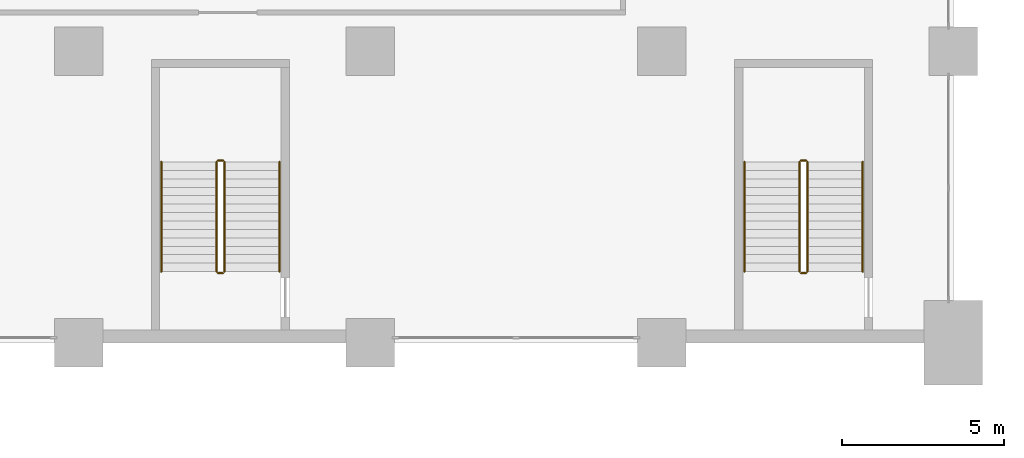
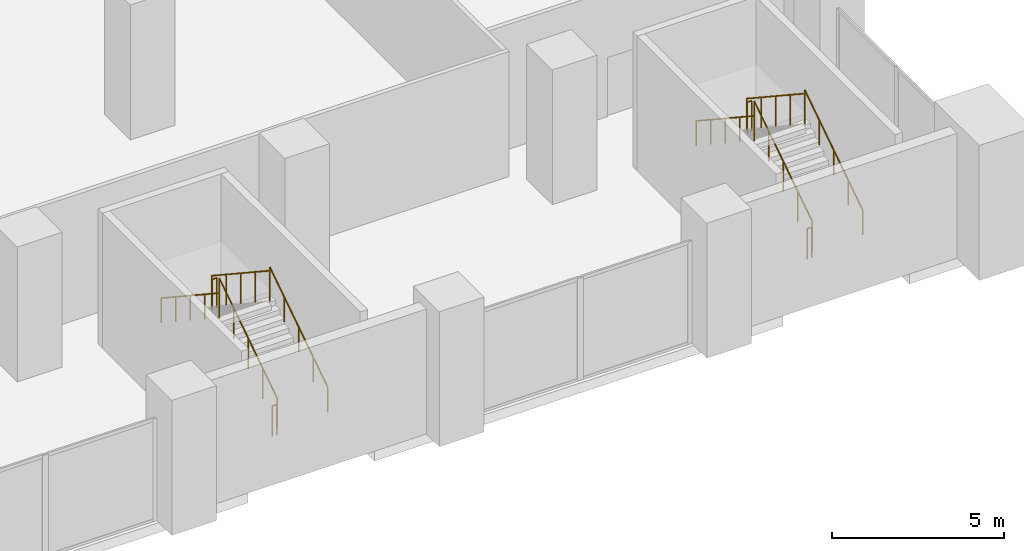
# One storey, part 28 of 31: 12 railings.
"""IFC4 building model written with IfcOpenShell, lengths in metres."""

import ifcopenshell
import ifcopenshell.guid

model = None  # the IFC model being written
_history = None  # IfcOwnerHistory: only IFC2X3 demands one
_inside = {}  # id of a spatial element -> (the spatial element, [elements in it])
_under = {}  # id of a project, library or spatial element -> (it, [spatial elements below it])
_declared = {}  # id of a project -> (the project, [libraries it declares])
_typed = {}  # id of a type object -> (the type object, [elements of that type])
_made_of = {}  # id of a material, layer set ... -> (it, [elements and type objects made of it])


def new_model(schema):
    """Start an empty IFC model of exactly this schema.

    Asked for "IFC4X3", IfcOpenShell would pick the latest addendum, in which some entities
    have other attributes; the version numbers below select the first issue.
    IFC2X3 requires an IfcOwnerHistory on every rooted entity: one is made here for all.
    """
    global model, _history
    if schema == "IFC4X3":
        model = ifcopenshell.file(schema_version=(4, 3, 0, 0))
    else:
        model = ifcopenshell.file(schema=schema)
    _inside.clear()
    _under.clear()
    _declared.clear()
    _typed.clear()
    _made_of.clear()
    _history = None
    if model.schema == "IFC2X3":
        org = make("IfcOrganization", Name="unknown")
        user = make(
            "IfcPersonAndOrganization",
            ThePerson=make("IfcPerson", FamilyName="unknown"),
            TheOrganization=org,
        )
        app = make(
            "IfcApplication",
            ApplicationDeveloper=org,
            Version="unknown",
            ApplicationFullName="unknown",
            ApplicationIdentifier="unknown",
        )
        _history = make(
            "IfcOwnerHistory",
            OwningUser=user,
            OwningApplication=app,
            ChangeAction="ADDED",
            CreationDate=0,
        )
    return model


def make(cls, **values):
    """One entity of the class cls with the attributes given. An attribute that is None is left unset."""
    return model.create_entity(
        cls, **{name: value for name, value in values.items() if value is not None}
    )


def rooted(cls, **values):
    """An entity with a GlobalId (a new one), such as an element, a storey or a relation."""
    return make(cls, GlobalId=ifcopenshell.guid.new(), OwnerHistory=_history, **values)


def si_unit(unit_type, name, prefix=None):
    """IfcSIUnit, for example si_unit("LENGTHUNIT", "METRE", prefix="MILLI")."""
    return make("IfcSIUnit", UnitType=unit_type, Prefix=prefix, Name=name)


def assignment(units):
    """IfcUnitAssignment: the units of a project."""
    return None if units is None else make("IfcUnitAssignment", Units=units)


def point(xyz):
    """IfcCartesianPoint."""
    return None if xyz is None else make("IfcCartesianPoint", Coordinates=xyz)


def direction(xyz):
    """IfcDirection."""
    return None if xyz is None else make("IfcDirection", DirectionRatios=xyz)


def frame(location, z_axis=None, x_axis=None):
    """IfcAxis2Placement3D, a coordinate frame: its origin and axes. An axis left out is left unset."""
    return make(
        "IfcAxis2Placement3D",
        Location=point(location),
        Axis=direction(z_axis),
        RefDirection=direction(x_axis),
    )


def frame_2d(location, x_axis=None):
    """IfcAxis2Placement2D, a coordinate frame in the plane: its origin and x axis."""
    return make(
        "IfcAxis2Placement2D", Location=point(location), RefDirection=direction(x_axis)
    )


def origin():
    """The frame at (0, 0, 0) with its axes left unset."""
    return frame((0.0, 0.0, 0.0))


def origin_2d():
    """The frame at (0, 0) in the plane with its x axis left unset."""
    return frame_2d((0.0, 0.0))


def place(relative_to, where):
    """IfcLocalPlacement: puts the frame where relative to a parent placement (None: the world)."""
    return make(
        "IfcLocalPlacement", PlacementRelTo=relative_to, RelativePlacement=where
    )


def context(
    kind, dimensions, precision=None, world=None, true_north=None, identifier=None
):
    """IfcGeometricRepresentationContext, for example the 3D "Model" context."""
    return make(
        "IfcGeometricRepresentationContext",
        ContextIdentifier=identifier,
        ContextType=kind,
        CoordinateSpaceDimension=dimensions,
        Precision=precision,
        WorldCoordinateSystem=world,
        TrueNorth=true_north,
    )


def subcontext(parent, identifier, kind, view, scale=None):
    """IfcGeometricRepresentationSubContext, for example "Body" below "Model"."""
    return make(
        "IfcGeometricRepresentationSubContext",
        ContextIdentifier=identifier,
        ContextType=kind,
        ParentContext=parent,
        TargetScale=scale,
        TargetView=view,
    )


def project(units=None, contexts=None):
    """IfcProject with its units and contexts."""
    return rooted(
        "IfcProject",
        Name="project",
        RepresentationContexts=contexts,
        UnitsInContext=assignment(units),
    )


def spatial(cls, under=None, at=None, **own):
    """A site, building, storey or space (cls), placed at a placement, below another one or the project."""
    s = rooted(cls, ObjectPlacement=at, **own)
    if under is not None:
        _under.setdefault(under.id(), (under, []))[1].append(s)
    return s


def profile(cls, at=None, kind="AREA", **sizes):
    """A parametric profile (cls). Its sizes go by their IFC names, for example OverallWidth=200.0."""
    return make(cls, ProfileType=kind, Position=at, **sizes)


def circle(**sizes):
    """IfcCircleProfileDef."""
    return profile("IfcCircleProfileDef", **sizes)


def extrude(swept, where, along, depth):
    """IfcExtrudedAreaSolid: the profile swept, set in the frame where, extruded along a direction by depth."""
    return make(
        "IfcExtrudedAreaSolid",
        SweptArea=swept,
        Position=where,
        ExtrudedDirection=direction(along),
        Depth=depth,
    )


def shape(context_of_items, identifier, shape_type, items):
    """IfcShapeRepresentation: the items that make up one representation, for example the "Body"."""
    return make(
        "IfcShapeRepresentation",
        ContextOfItems=context_of_items,
        RepresentationIdentifier=identifier,
        RepresentationType=shape_type,
        Items=items,
    )


def material(Name=None, Category=None):
    """IfcMaterial."""
    return make("IfcMaterial", Name=Name, Category=Category)


def made_of(thing, what):
    """Note that an element or type object is made of a material, layer set ...; save() writes the relation."""
    if what is not None:
        _made_of.setdefault(what.id(), (what, []))[1].append(thing)
    return thing


def type_object(cls, material=None, **own):
    """A type object (cls), such as IfcWallType, which elements share."""
    return made_of(rooted(cls, **own), material)


def element(
    cls,
    number,
    at=None,
    inside=None,
    cuts=None,
    type_object=None,
    material=None,
    context=None,
    identifier="Body",
    shape_type=None,
    held_by="IfcProductDefinitionShape",
    body=None,
    shapes=None,
    **own,
):
    """One element of the class cls, such as IfcWall. Its Tag is "e" and its number.

    at: its placement. inside: the storey or other place that contains it. cuts: it is an
    opening in that element (IfcRelVoidsElement). A single representation is given by context,
    identifier, shape_type and body (its items); several are given by shapes. held_by: the class
    of the entity that holds the representations. save() writes the other relations.
    """
    e = rooted(cls, Tag="e%d" % number, ObjectPlacement=at, **own)
    if body is not None:
        shapes = [shape(context, identifier, shape_type, body)]
    if shapes is not None:
        e.Representation = make(held_by, Representations=shapes)
    if inside is not None:
        _inside.setdefault(inside.id(), (inside, []))[1].append(e)
    if cuts is not None:
        rooted(
            "IfcRelVoidsElement", RelatingBuildingElement=cuts, RelatedOpeningElement=e
        )
    if type_object is not None:
        _typed.setdefault(type_object.id(), (type_object, []))[1].append(e)
    return made_of(e, material)


def aggregate(whole, parts):
    """IfcRelAggregates: a whole, such as a stair, and the parts it consists of."""
    return rooted("IfcRelAggregates", RelatingObject=whole, RelatedObjects=parts)


def save(model, path):
    """Write the relations noted so far, then the file.

    IfcRelAggregates (storeys below a building ...), IfcRelContainedInSpatialStructure (elements
    in a storey), IfcRelDefinesByType, IfcRelAssociatesMaterial and IfcRelDeclares: one each for
    every whole, place, type object, material and project.
    """
    for whole, parts in _under.values():
        aggregate(whole, parts)
    for where, things in _inside.values():
        rooted(
            "IfcRelContainedInSpatialStructure",
            RelatedElements=things,
            RelatingStructure=where,
        )
    for kind, things in _typed.values():
        rooted("IfcRelDefinesByType", RelatedObjects=things, RelatingType=kind)
    for what, things in _made_of.values():
        rooted("IfcRelAssociatesMaterial", RelatedObjects=things, RelatingMaterial=what)
    for by, libraries in _declared.values():
        rooted("IfcRelDeclares", RelatingContext=by, RelatedDefinitions=libraries)
    model.write(path)


model = new_model("IFC4")

# Units and contexts
model_context = context("Model", 3, precision=1e-05, world=origin(), true_north=direction((0.0, 1.0)))
body_context = subcontext(model_context, "Body", "Model", "MODEL_VIEW")
ifc_project = project(units=[si_unit("LENGTHUNIT", "METRE"), si_unit("AREAUNIT", "SQUARE_METRE"), si_unit("VOLUMEUNIT", "CUBIC_METRE"), si_unit("PLANEANGLEUNIT", "RADIAN"), si_unit("MASSUNIT", "GRAM", prefix="KILO")], contexts=[model_context])

# Site, building, storey
site_placement = place(None, origin())
site = spatial("IfcSite", under=ifc_project, at=site_placement, CompositionType="ELEMENT")
building_placement = place(site_placement, origin())
building = spatial("IfcBuilding", under=site, at=building_placement, Name="Hunhe Ridgeline Campus", CompositionType="ELEMENT")
storey_placement = place(building_placement, frame((0.0, 0.0, 16.800048828125)))
storey = spatial("IfcBuildingStorey", under=building, at=storey_placement, Name="L03", CompositionType="ELEMENT", Elevation=16.800048828125)

# Railings
ifc_material = material(Name="Steel Q235", Category="steel")
railing_type_1 = type_object("IfcRailingType", Name="Podium stair guard 1100", PredefinedType="GUARDRAIL", material=ifc_material)
railing_1_placement = place(storey_placement, frame((67.5, 20.199951171875, 0.17138671875)))
element("IfcRailing", 1, at=railing_1_placement, inside=storey, type_object=railing_type_1, Name="L03 PS2 stair guard 1", PredefinedType="GUARDRAIL", context=body_context, shape_type="SweptSolid", body=[
    extrude(circle(Radius=0.02392578125, at=origin_2d()), frame((0.0, 0.0, 1.076171875), z_axis=(0.0, 0.834878220475, 0.550434698194), x_axis=(-1.0, 0.0, 0.0)), (0.0, 0.0, 1.0), 4.048583984375),
    extrude(circle(Radius=0.02099609375, at=origin_2d()), origin(), (0.0, 0.0, 1.0), 1.052001953125),
    extrude(circle(Radius=0.02099609375, at=origin_2d()), frame((0.0, 0.844970703125, 0.55712890625)), (0.0, 0.0, 1.0), 1.052001953125),
    extrude(circle(Radius=0.02099609375, at=origin_2d()), frame((0.0, 1.68994140625, 1.1142578125)), (0.0, 0.0, 1.0), 1.052001953125),
    extrude(circle(Radius=0.02099609375, at=origin_2d()), frame((0.0, 2.53515625, 1.67138671875)), (0.0, 0.0, 1.0), 1.052001953125),
    extrude(circle(Radius=0.02099609375, at=origin_2d()), frame((0.0, 3.380126953125, 2.228515625)), (0.0, 0.0, 1.0), 1.052001953125),
])
railing_2_placement = place(storey_placement, frame((67.449951171875, 23.6298828125, 2.39990234375)))
element("IfcRailing", 2, at=railing_2_placement, inside=storey, type_object=railing_type_1, Name="L03 PS2 stair guard 2", PredefinedType="GUARDRAIL", context=body_context, shape_type="SweptSolid", body=[
    extrude(circle(Radius=0.02392578125, at=origin_2d()), frame((0.0, 0.0, 1.076171875), z_axis=(-1.0, 0.0, 0.0), x_axis=(0.0, -1.0, 0.0)), (0.0, 0.0, 1.0), 0.14990234375),
    extrude(circle(Radius=0.02099609375, at=origin_2d()), origin(), (0.0, 0.0, 1.0), 1.052001953125),
    extrude(circle(Radius=0.02099609375, at=origin_2d()), frame((-0.14990234375, 0.0, 0.0)), (0.0, 0.0, 1.0), 1.052001953125),
])
railing_3_placement = place(storey_placement, frame((67.25, 23.580078125, 2.5712890625)))
element("IfcRailing", 3, at=railing_3_placement, inside=storey, type_object=railing_type_1, Name="L03 PS2 stair guard 3", PredefinedType="GUARDRAIL", context=body_context, shape_type="SweptSolid", body=[
    extrude(circle(Radius=0.02392578125, at=origin_2d()), frame((0.0, 0.0, 1.076171875), z_axis=(0.0, -0.834850508896, 0.550476727751), x_axis=(1.0, 0.0, 0.0)), (0.0, 0.0, 1.0), 4.048828125),
    extrude(circle(Radius=0.02099609375, at=origin_2d()), origin(), (0.0, 0.0, 1.0), 1.052001953125),
    extrude(circle(Radius=0.02099609375, at=origin_2d()), frame((0.0, -0.844970703125, 0.55712890625)), (0.0, 0.0, 1.0), 1.052001953125),
    extrude(circle(Radius=0.02099609375, at=origin_2d()), frame((0.0, -1.68994140625, 1.1142578125)), (0.0, 0.0, 1.0), 1.052001953125),
    extrude(circle(Radius=0.02099609375, at=origin_2d()), frame((0.0, -2.53515625, 1.671630859375)), (0.0, 0.0, 1.0), 1.052001953125),
    extrude(circle(Radius=0.02099609375, at=origin_2d()), frame((0.0, -3.380126953125, 2.228759765625)), (0.0, 0.0, 1.0), 1.052001953125),
])
railing_4_placement = place(storey_placement, frame((67.449951171875, 20.14990234375, 0.0)))
element("IfcRailing", 4, at=railing_4_placement, inside=storey, type_object=railing_type_1, Name="L03 PS2 stair guard 4", PredefinedType="GUARDRAIL", context=body_context, shape_type="SweptSolid", body=[
    extrude(circle(Radius=0.02392578125, at=origin_2d()), frame((0.0, 0.0, 1.076171875), z_axis=(-1.0, 0.0, 0.0), x_axis=(0.0, -1.0, 0.0)), (0.0, 0.0, 1.0), 0.14990234375),
    extrude(circle(Radius=0.02099609375, at=origin_2d()), origin(), (0.0, 0.0, 1.0), 1.052001953125),
    extrude(circle(Radius=0.02099609375, at=origin_2d()), frame((-0.14990234375, 0.0, 0.0)), (0.0, 0.0, 1.0), 1.052001953125),
])
railing_5_placement = place(storey_placement, frame((85.5, 20.199951171875, 0.17138671875)))
element("IfcRailing", 5, at=railing_5_placement, inside=storey, type_object=railing_type_1, Name="L03 PS3 stair guard 1", PredefinedType="GUARDRAIL", context=body_context, shape_type="SweptSolid", body=[
    extrude(circle(Radius=0.02392578125, at=origin_2d()), frame((0.0, 0.0, 1.076171875), z_axis=(0.0, 0.834878220475, 0.550434698194), x_axis=(-1.0, 0.0, 0.0)), (0.0, 0.0, 1.0), 4.048583984375),
    extrude(circle(Radius=0.02099609375, at=origin_2d()), origin(), (0.0, 0.0, 1.0), 1.052001953125),
    extrude(circle(Radius=0.02099609375, at=origin_2d()), frame((0.0, 0.844970703125, 0.55712890625)), (0.0, 0.0, 1.0), 1.052001953125),
    extrude(circle(Radius=0.02099609375, at=origin_2d()), frame((0.0, 1.68994140625, 1.1142578125)), (0.0, 0.0, 1.0), 1.052001953125),
    extrude(circle(Radius=0.02099609375, at=origin_2d()), frame((0.0, 2.53515625, 1.67138671875)), (0.0, 0.0, 1.0), 1.052001953125),
    extrude(circle(Radius=0.02099609375, at=origin_2d()), frame((0.0, 3.380126953125, 2.228515625)), (0.0, 0.0, 1.0), 1.052001953125),
])
railing_6_placement = place(storey_placement, frame((85.449951171875, 23.6298828125, 2.39990234375)))
element("IfcRailing", 6, at=railing_6_placement, inside=storey, type_object=railing_type_1, Name="L03 PS3 stair guard 2", PredefinedType="GUARDRAIL", context=body_context, shape_type="SweptSolid", body=[
    extrude(circle(Radius=0.02392578125, at=origin_2d()), frame((0.0, 0.0, 1.076171875), z_axis=(-1.0, 0.0, 0.0), x_axis=(0.0, -1.0, 0.0)), (0.0, 0.0, 1.0), 0.14990234375),
    extrude(circle(Radius=0.02099609375, at=origin_2d()), origin(), (0.0, 0.0, 1.0), 1.052001953125),
    extrude(circle(Radius=0.02099609375, at=origin_2d()), frame((-0.14990234375, 0.0, 0.0)), (0.0, 0.0, 1.0), 1.052001953125),
])
railing_7_placement = place(storey_placement, frame((85.25, 23.580078125, 2.5712890625)))
element("IfcRailing", 7, at=railing_7_placement, inside=storey, type_object=railing_type_1, Name="L03 PS3 stair guard 3", PredefinedType="GUARDRAIL", context=body_context, shape_type="SweptSolid", body=[
    extrude(circle(Radius=0.02392578125, at=origin_2d()), frame((0.0, 0.0, 1.076171875), z_axis=(0.0, -0.834850508896, 0.550476727751), x_axis=(1.0, 0.0, 0.0)), (0.0, 0.0, 1.0), 4.048828125),
    extrude(circle(Radius=0.02099609375, at=origin_2d()), origin(), (0.0, 0.0, 1.0), 1.052001953125),
    extrude(circle(Radius=0.02099609375, at=origin_2d()), frame((0.0, -0.844970703125, 0.55712890625)), (0.0, 0.0, 1.0), 1.052001953125),
    extrude(circle(Radius=0.02099609375, at=origin_2d()), frame((0.0, -1.68994140625, 1.1142578125)), (0.0, 0.0, 1.0), 1.052001953125),
    extrude(circle(Radius=0.02099609375, at=origin_2d()), frame((0.0, -2.53515625, 1.671630859375)), (0.0, 0.0, 1.0), 1.052001953125),
    extrude(circle(Radius=0.02099609375, at=origin_2d()), frame((0.0, -3.380126953125, 2.228759765625)), (0.0, 0.0, 1.0), 1.052001953125),
])
railing_8_placement = place(storey_placement, frame((85.449951171875, 20.14990234375, 0.0)))
element("IfcRailing", 8, at=railing_8_placement, inside=storey, type_object=railing_type_1, Name="L03 PS3 stair guard 4", PredefinedType="GUARDRAIL", context=body_context, shape_type="SweptSolid", body=[
    extrude(circle(Radius=0.02392578125, at=origin_2d()), frame((0.0, 0.0, 1.076171875), z_axis=(-1.0, 0.0, 0.0), x_axis=(0.0, -1.0, 0.0)), (0.0, 0.0, 1.0), 0.14990234375),
    extrude(circle(Radius=0.02099609375, at=origin_2d()), origin(), (0.0, 0.0, 1.0), 1.052001953125),
    extrude(circle(Radius=0.02099609375, at=origin_2d()), frame((-0.14990234375, 0.0, 0.0)), (0.0, 0.0, 1.0), 1.052001953125),
])
railing_type_2 = type_object("IfcRailingType", Name="Podium stair handrail", PredefinedType="HANDRAIL", material=ifc_material)
railing_9_placement = place(storey_placement, frame((69.199951171875, 20.199951171875, 0.17138671875)))
element("IfcRailing", 9, at=railing_9_placement, inside=storey, type_object=railing_type_2, Name="L03 PS2 stair handrail 1", PredefinedType="HANDRAIL", context=body_context, shape_type="SweptSolid", body=[
    extrude(circle(Radius=0.02392578125, at=origin_2d()), frame((0.0, 0.0, 0.8759765625), z_axis=(0.0, 0.834878220475, 0.550434698194), x_axis=(-1.0, 0.0, 0.0)), (0.0, 0.0, 1.0), 4.048583984375),
    extrude(circle(Radius=0.02099609375, at=origin_2d()), origin(), (0.0, 0.0, 1.0), 0.851806640625),
    extrude(circle(Radius=0.02099609375, at=origin_2d()), frame((0.0, 0.844970703125, 0.55712890625)), (0.0, 0.0, 1.0), 0.851806640625),
    extrude(circle(Radius=0.02099609375, at=origin_2d()), frame((0.0, 1.68994140625, 1.1142578125)), (0.0, 0.0, 1.0), 0.851806640625),
    extrude(circle(Radius=0.02099609375, at=origin_2d()), frame((0.0, 2.53515625, 1.67138671875)), (0.0, 0.0, 1.0), 0.851806640625),
    extrude(circle(Radius=0.02099609375, at=origin_2d()), frame((0.0, 3.380126953125, 2.228515625)), (0.0, 0.0, 1.0), 0.851806640625),
])
railing_10_placement = place(storey_placement, frame((65.550048828125, 23.580078125, 2.5712890625)))
element("IfcRailing", 10, at=railing_10_placement, inside=storey, type_object=railing_type_2, Name="L03 PS2 stair handrail 2", PredefinedType="HANDRAIL", context=body_context, shape_type="SweptSolid", body=[
    extrude(circle(Radius=0.02392578125, at=origin_2d()), frame((0.0, 0.0, 0.8759765625), z_axis=(0.0, -0.834850508896, 0.550476727751), x_axis=(1.0, 0.0, 0.0)), (0.0, 0.0, 1.0), 4.048828125),
    extrude(circle(Radius=0.02099609375, at=origin_2d()), origin(), (0.0, 0.0, 1.0), 0.851806640625),
    extrude(circle(Radius=0.02099609375, at=origin_2d()), frame((0.0, -0.844970703125, 0.55712890625)), (0.0, 0.0, 1.0), 0.851806640625),
    extrude(circle(Radius=0.02099609375, at=origin_2d()), frame((0.0, -1.68994140625, 1.1142578125)), (0.0, 0.0, 1.0), 0.851806640625),
    extrude(circle(Radius=0.02099609375, at=origin_2d()), frame((0.0, -2.53515625, 1.671630859375)), (0.0, 0.0, 1.0), 0.851806640625),
    extrude(circle(Radius=0.02099609375, at=origin_2d()), frame((0.0, -3.380126953125, 2.228759765625)), (0.0, 0.0, 1.0), 0.851806640625),
])
railing_11_placement = place(storey_placement, frame((87.199951171875, 20.199951171875, 0.17138671875)))
element("IfcRailing", 11, at=railing_11_placement, inside=storey, type_object=railing_type_2, Name="L03 PS3 stair handrail 1", PredefinedType="HANDRAIL", context=body_context, shape_type="SweptSolid", body=[
    extrude(circle(Radius=0.02392578125, at=origin_2d()), frame((0.0, 0.0, 0.8759765625), z_axis=(0.0, 0.834878220475, 0.550434698194), x_axis=(-1.0, 0.0, 0.0)), (0.0, 0.0, 1.0), 4.048583984375),
    extrude(circle(Radius=0.02099609375, at=origin_2d()), origin(), (0.0, 0.0, 1.0), 0.851806640625),
    extrude(circle(Radius=0.02099609375, at=origin_2d()), frame((0.0, 0.844970703125, 0.55712890625)), (0.0, 0.0, 1.0), 0.851806640625),
    extrude(circle(Radius=0.02099609375, at=origin_2d()), frame((0.0, 1.68994140625, 1.1142578125)), (0.0, 0.0, 1.0), 0.851806640625),
    extrude(circle(Radius=0.02099609375, at=origin_2d()), frame((0.0, 2.53515625, 1.67138671875)), (0.0, 0.0, 1.0), 0.851806640625),
    extrude(circle(Radius=0.02099609375, at=origin_2d()), frame((0.0, 3.380126953125, 2.228515625)), (0.0, 0.0, 1.0), 0.851806640625),
])
railing_12_placement = place(storey_placement, frame((83.550048828125, 23.580078125, 2.5712890625)))
element("IfcRailing", 12, at=railing_12_placement, inside=storey, type_object=railing_type_2, Name="L03 PS3 stair handrail 2", PredefinedType="HANDRAIL", context=body_context, shape_type="SweptSolid", body=[
    extrude(circle(Radius=0.02392578125, at=origin_2d()), frame((0.0, 0.0, 0.8759765625), z_axis=(0.0, -0.834850508896, 0.550476727751), x_axis=(1.0, 0.0, 0.0)), (0.0, 0.0, 1.0), 4.048828125),
    extrude(circle(Radius=0.02099609375, at=origin_2d()), origin(), (0.0, 0.0, 1.0), 0.851806640625),
    extrude(circle(Radius=0.02099609375, at=origin_2d()), frame((0.0, -0.844970703125, 0.55712890625)), (0.0, 0.0, 1.0), 0.851806640625),
    extrude(circle(Radius=0.02099609375, at=origin_2d()), frame((0.0, -1.68994140625, 1.1142578125)), (0.0, 0.0, 1.0), 0.851806640625),
    extrude(circle(Radius=0.02099609375, at=origin_2d()), frame((0.0, -2.53515625, 1.671630859375)), (0.0, 0.0, 1.0), 0.851806640625),
    extrude(circle(Radius=0.02099609375, at=origin_2d()), frame((0.0, -3.380126953125, 2.228759765625)), (0.0, 0.0, 1.0), 0.851806640625),
])

save(model, "model.ifc")
